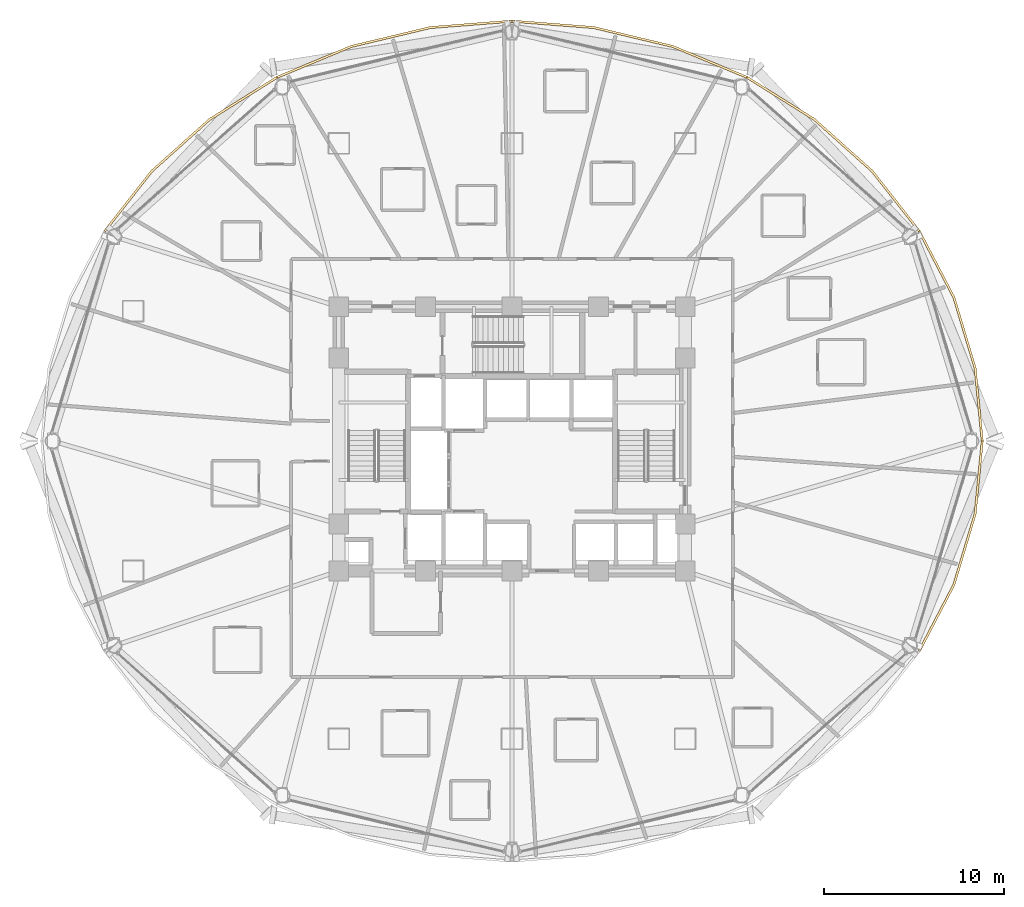
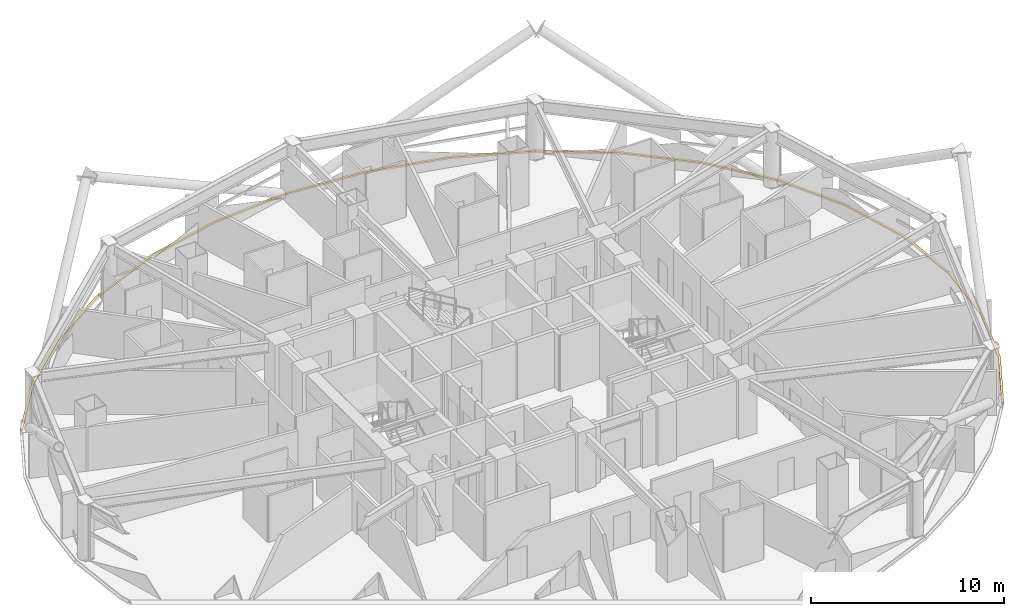
# One storey, part 31 of 31: 6 coverings.
"""IFC4 building model written with IfcOpenShell, lengths in metres."""

from ifc_helpers import new_model, si_unit, direction, frame, origin, place, context, subcontext, project, spatial, polyline, outline, extrude, material, layer, layer_set, type_object, element, save


model = new_model("IFC4")

# Units and contexts
model_context = context("Model", 3, precision=1e-05, world=origin(), true_north=direction((0.0, 1.0)))
body_context = subcontext(model_context, "Body", "Model", "MODEL_VIEW")
ifc_project = project(units=[si_unit("LENGTHUNIT", "METRE"), si_unit("AREAUNIT", "SQUARE_METRE"), si_unit("VOLUMEUNIT", "CUBIC_METRE"), si_unit("PLANEANGLEUNIT", "RADIAN"), si_unit("MASSUNIT", "GRAM", prefix="KILO")], contexts=[model_context])

# Site, building, storey
site_placement = place(None, origin())
site = spatial("IfcSite", under=ifc_project, at=site_placement, CompositionType="ELEMENT")
building_placement = place(site_placement, origin())
building = spatial("IfcBuilding", under=site, at=building_placement, Name="Vantalir Tower", CompositionType="ELEMENT")
storey_placement = place(building_placement, frame((0.0, 0.0, 34.5)))
storey = spatial("IfcBuildingStorey", under=building, at=storey_placement, Name="L07", CompositionType="ELEMENT", Elevation=34.5)

# Coverings
ifc_material = material(Name="Anodised champagne aluminium sill fascia", Category="aluminium")
ifc_layer = layer(ifc_material, 0.125)
ifc_layer_set = layer_set([ifc_layer], Name="Anodised champagne aluminium sill fascia")
covering_type = type_object("IfcCoveringType", Name="COV-SLAB-FASCIA-125", PredefinedType="CLADDING", material=ifc_layer_set)
covering_1_placement = place(storey_placement, frame((0.0, 0.0, -0.179931640625)))
element("IfcCovering", 1, at=covering_1_placement, inside=storey, type_object=covering_type, Name="L07 Perimeter Slab-Edge Sill Fascia 01", PredefinedType="CLADDING", context=body_context, shape_type="SweptSolid", body=[
    extrude(outline(polyline([(57.625, 25.0), (57.22802734375, 29.052978515625), (56.049072265625, 32.98193359375), (54.125, 36.6689453125), (54.01708984375, 36.60693359375), (55.931884765625, 32.93994140625), (57.10498046875, 29.031005859375), (57.5, 25.0), (57.625, 25.0)])), origin(), (0.0, 0.0, 1.0), 0.10498046875),
])
covering_2_placement = place(storey_placement, frame((0.0, 0.0, -0.179931640625)))
element("IfcCovering", 2, at=covering_2_placement, inside=storey, type_object=covering_type, Name="L07 Perimeter Slab-Edge Sill Fascia 02", PredefinedType="CLADDING", context=body_context, shape_type="SweptSolid", body=[
    extrude(outline(polyline([(54.125, 36.6689453125), (51.512939453125, 40.001953125), (48.29296875, 42.87890625), (44.56298828125, 45.2119140625), (44.5, 45.10400390625), (48.2119140625, 42.782958984375), (51.4169921875, 39.922119140625), (54.01708984375, 36.60693359375), (54.125, 36.6689453125)])), origin(), (0.0, 0.0, 1.0), 0.10498046875),
])
covering_3_placement = place(storey_placement, frame((0.0, 0.0, -0.179931640625)))
element("IfcCovering", 3, at=covering_3_placement, inside=storey, type_object=covering_type, Name="L07 Perimeter Slab-Edge Sill Fascia 03", PredefinedType="CLADDING", context=body_context, shape_type="SweptSolid", body=[
    extrude(outline(polyline([(44.56298828125, 45.2119140625), (40.43505859375, 46.930908203125), (36.037109375, 47.98388671875), (31.5, 48.339111328125), (31.5, 48.214111328125), (36.014892578125, 47.861083984375), (40.39306640625, 46.81396484375), (44.5, 45.10400390625), (44.56298828125, 45.2119140625)])), origin(), (0.0, 0.0, 1.0), 0.10498046875),
])
covering_4_placement = place(storey_placement, frame((0.0, 0.0, -0.179931640625)))
element("IfcCovering", 4, at=covering_4_placement, inside=storey, type_object=covering_type, Name="L07 Perimeter Slab-Edge Sill Fascia 04", PredefinedType="CLADDING", context=body_context, shape_type="SweptSolid", body=[
    extrude(outline(polyline([(31.5, 48.339111328125), (26.962890625, 47.98388671875), (22.56494140625, 46.930908203125), (18.43798828125, 45.2119140625), (18.5, 45.10400390625), (22.60693359375, 46.81396484375), (26.985107421875, 47.861083984375), (31.5, 48.214111328125), (31.5, 48.339111328125)])), origin(), (0.0, 0.0, 1.0), 0.10498046875),
])
covering_5_placement = place(storey_placement, frame((0.0, 0.0, -0.179931640625)))
element("IfcCovering", 5, at=covering_5_placement, inside=storey, type_object=covering_type, Name="L07 Perimeter Slab-Edge Sill Fascia 05", PredefinedType="CLADDING", context=body_context, shape_type="SweptSolid", body=[
    extrude(outline(polyline([(18.43798828125, 45.2119140625), (14.70703125, 42.87890625), (11.487060546875, 40.001953125), (8.875, 36.6689453125), (8.98291015625, 36.60693359375), (11.5830078125, 39.922119140625), (14.7880859375, 42.782958984375), (18.5, 45.10400390625), (18.43798828125, 45.2119140625)])), origin(), (0.0, 0.0, 1.0), 0.10498046875),
])
covering_6_placement = place(storey_placement, frame((0.0, 0.0, -0.179931640625)))
element("IfcCovering", 6, at=covering_6_placement, inside=storey, type_object=covering_type, Name="L07 Perimeter Slab-Edge Sill Fascia 12", PredefinedType="CLADDING", context=body_context, shape_type="SweptSolid", body=[
    extrude(outline(polyline([(54.125, 13.330078125), (56.049072265625, 17.01806640625), (57.22802734375, 20.947021484375), (57.625, 25.0), (57.5, 25.0), (57.10498046875, 20.968994140625), (55.931884765625, 17.06005859375), (54.01708984375, 13.39306640625), (54.125, 13.330078125)])), origin(), (0.0, 0.0, 1.0), 0.10498046875),
])

save(model, "model.ifc")
